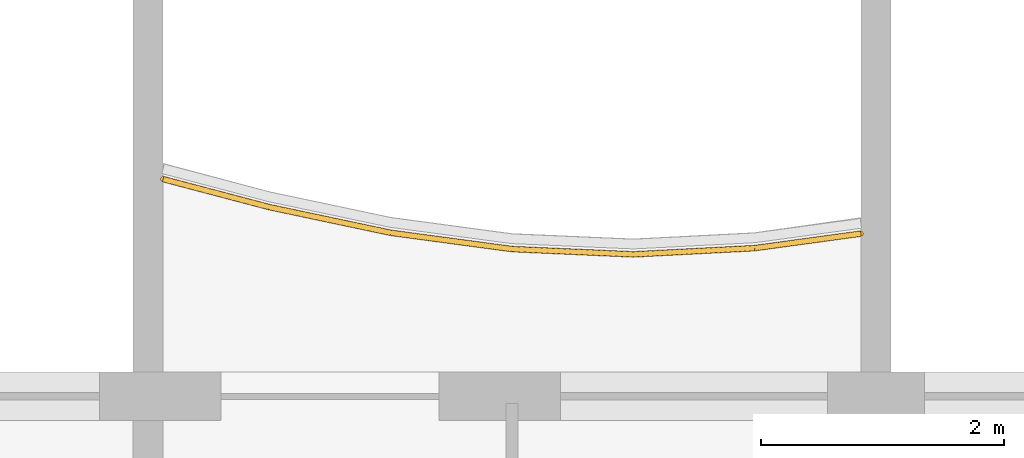
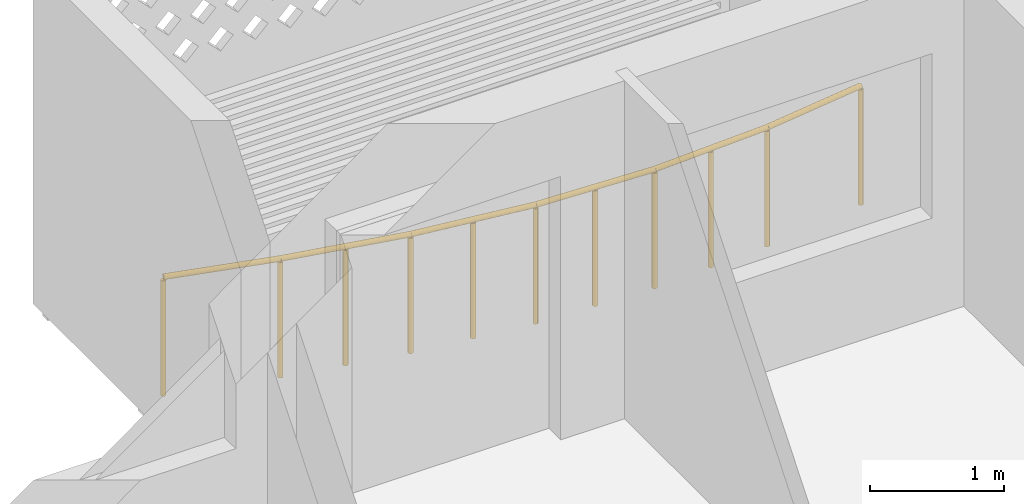
# One storey, part 22 of 27: 1 railing.
"""IFC4 building model written with IfcOpenShell, lengths in metres."""

from ifc_helpers import new_model, si_unit, direction, frame, origin, origin_2d, place, context, subcontext, project, spatial, circle, extrude, material, type_object, element, save


model = new_model("IFC4")

# Units and contexts
model_context = context("Model", 3, precision=1e-05, world=origin(), true_north=direction((0.0, 1.0)))
body_context = subcontext(model_context, "Body", "Model", "MODEL_VIEW")
ifc_project = project(units=[si_unit("LENGTHUNIT", "METRE"), si_unit("AREAUNIT", "SQUARE_METRE"), si_unit("VOLUMEUNIT", "CUBIC_METRE"), si_unit("PLANEANGLEUNIT", "RADIAN"), si_unit("MASSUNIT", "GRAM", prefix="KILO")], contexts=[model_context])

# Site, building, storey
site_placement = place(None, origin())
site = spatial("IfcSite", under=ifc_project, at=site_placement, CompositionType="ELEMENT")
building_placement = place(site_placement, origin())
building = spatial("IfcBuilding", under=site, at=building_placement, Name="Poui Terraces", CompositionType="ELEMENT")
storey_placement = place(building_placement, frame((0.0, 0.0, 198.300048828125)))
storey = spatial("IfcBuildingStorey", under=building, at=storey_placement, Name="L55", CompositionType="ELEMENT", Elevation=198.300048828125)

# Railing
ifc_material = material(Name="Painted steel fretwork", Category="steel")
railing_type = type_object("IfcRailingType", Name="BALCONY GUARD 1100", PredefinedType="GUARDRAIL", material=ifc_material)
railing_placement = place(storey_placement, frame((54.125, 42.990234375, 0.0)))
element("IfcRailing", 1, at=railing_placement, inside=storey, type_object=railing_type, Name="BALCONY GUARD", PredefinedType="GUARDRAIL", context=body_context, shape_type="SweptSolid", body=[
    extrude(circle(Radius=0.02392578125, at=origin_2d()), frame((0.0, 0.0, 1.076171875), z_axis=(0.966952108313, -0.254958075434, 0.0), x_axis=(0.254958075434, 0.966952108313, 0.0)), (0.0, 0.0, 1.0), 0.90478515625),
    extrude(circle(Radius=0.02392578125, at=origin_2d()), frame((0.875, -0.230712890625, 1.076171875), z_axis=(0.978372019246, -0.206853068522, 0.0), x_axis=(0.206853068522, 0.978372019246, 0.0)), (0.0, 0.0, 1.0), 1.022216796875),
    extrude(circle(Radius=0.02392578125, at=origin_2d()), frame((1.875, -0.442138671875, 1.076171875), z_axis=(0.991104904979, -0.133082934018, 0.0), x_axis=(0.133082934018, 0.991104904979, 0.0)), (0.0, 0.0, 1.0), 1.009033203125),
    extrude(circle(Radius=0.02392578125, at=origin_2d()), frame((2.875, -0.576416015625, 1.076171875), z_axis=(0.999046469355, -0.043659501468, 0.0), x_axis=(0.043659501468, 0.999046469355, 0.0)), (0.0, 0.0, 1.0), 1.0009765625),
    extrude(circle(Radius=0.02392578125, at=origin_2d()), frame((3.875, -0.6201171875, 1.076171875), z_axis=(0.998675805692, 0.051445457764, 0.0), x_axis=(-0.051445457764, 0.998675805692, 0.0)), (0.0, 0.0, 1.0), 1.001220703125),
    extrude(circle(Radius=0.02392578125, at=origin_2d()), frame((4.875, -0.568603515625, 1.076171875), z_axis=(0.990820071533, 0.135187225162, 0.0), x_axis=(-0.135187225162, 0.990820071533, 0.0)), (0.0, 0.0, 1.0), 0.883056640625),
    extrude(circle(Radius=0.02099609375, at=origin_2d()), origin(), (0.0, 0.0, 1.0), 1.052001953125),
    extrude(circle(Radius=0.02099609375, at=origin_2d()), frame((0.875, -0.230712890625, 0.0)), (0.0, 0.0, 1.0), 1.052001953125),
    extrude(circle(Radius=0.02099609375, at=origin_2d()), frame((1.375, -0.33642578125, 0.0)), (0.0, 0.0, 1.0), 1.052001953125),
    extrude(circle(Radius=0.02099609375, at=origin_2d()), frame((1.875, -0.442138671875, 0.0)), (0.0, 0.0, 1.0), 1.052001953125),
    extrude(circle(Radius=0.02099609375, at=origin_2d()), frame((2.375, -0.50927734375, 0.0)), (0.0, 0.0, 1.0), 1.052001953125),
    extrude(circle(Radius=0.02099609375, at=origin_2d()), frame((2.875, -0.576416015625, 0.0)), (0.0, 0.0, 1.0), 1.052001953125),
    extrude(circle(Radius=0.02099609375, at=origin_2d()), frame((3.375, -0.59814453125, 0.0)), (0.0, 0.0, 1.0), 1.052001953125),
    extrude(circle(Radius=0.02099609375, at=origin_2d()), frame((3.875, -0.6201171875, 0.0)), (0.0, 0.0, 1.0), 1.052001953125),
    extrude(circle(Radius=0.02099609375, at=origin_2d()), frame((4.375, -0.59423828125, 0.0)), (0.0, 0.0, 1.0), 1.052001953125),
    extrude(circle(Radius=0.02099609375, at=origin_2d()), frame((4.875, -0.568603515625, 0.0)), (0.0, 0.0, 1.0), 1.052001953125),
    extrude(circle(Radius=0.02099609375, at=origin_2d()), frame((5.75, -0.44921875, 0.0)), (0.0, 0.0, 1.0), 1.052001953125),
])

save(model, "model.ifc")
